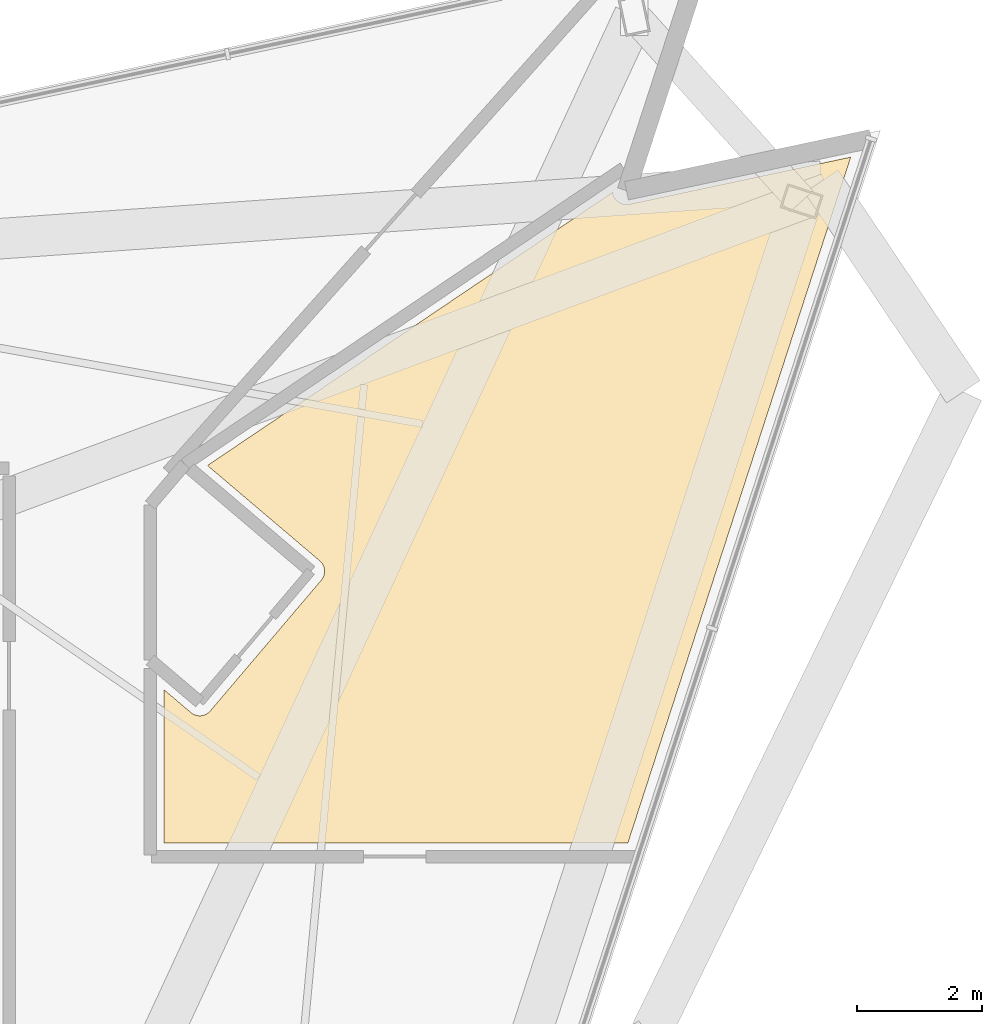
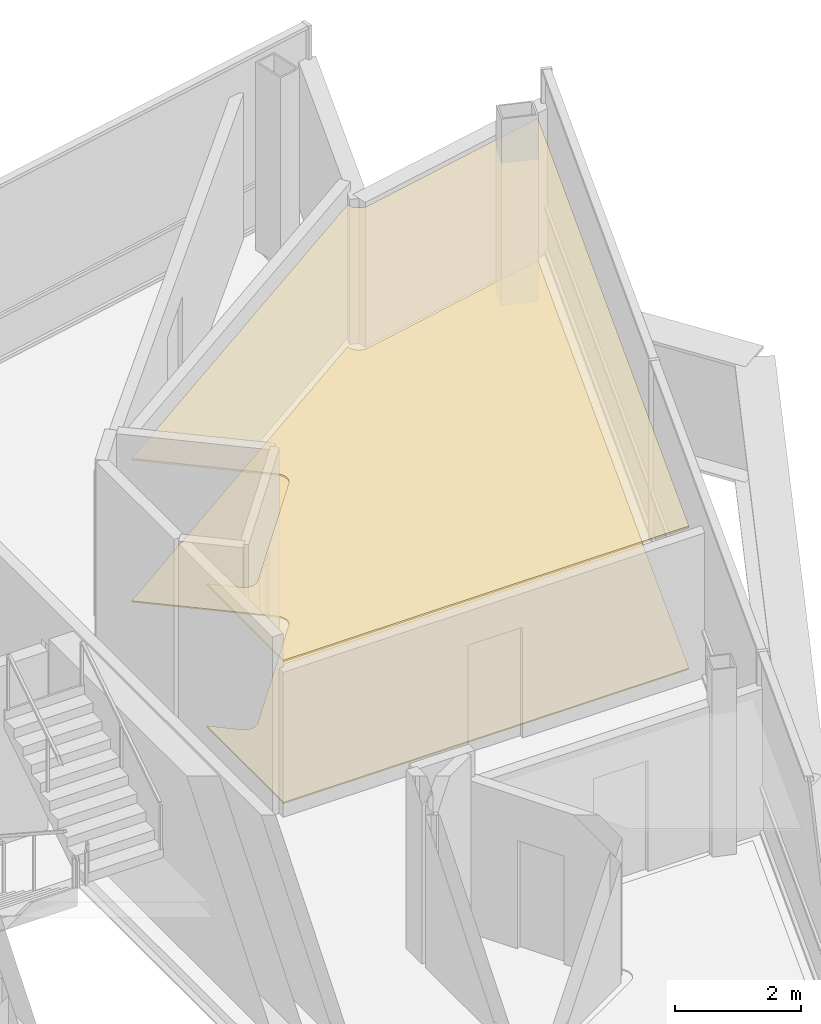
# One storey, part 18 of 18: 2 coverings.
"""IFC4 building model written with IfcOpenShell, lengths in metres."""

from ifc_helpers import new_model, si_unit, direction, frame, origin, place, context, subcontext, project, spatial, polyline, outline, extrude, material, layer, layer_set, type_object, element, save


model = new_model("IFC4")

# Units and contexts
model_context = context("Model", 3, precision=1e-05, world=origin(), true_north=direction((0.0, 1.0)))
body_context = subcontext(model_context, "Body", "Model", "MODEL_VIEW")
ifc_project = project(units=[si_unit("LENGTHUNIT", "METRE"), si_unit("AREAUNIT", "SQUARE_METRE"), si_unit("VOLUMEUNIT", "CUBIC_METRE"), si_unit("PLANEANGLEUNIT", "RADIAN"), si_unit("MASSUNIT", "GRAM", prefix="KILO")], contexts=[model_context])

# Site, building, storey
site_placement = place(None, origin())
site = spatial("IfcSite", under=ifc_project, at=site_placement, CompositionType="ELEMENT")
building_placement = place(site_placement, origin())
building = spatial("IfcBuilding", under=site, at=building_placement, Name="Tharavind Bronze Gate", CompositionType="ELEMENT")
storey_placement = place(building_placement, frame((0.0, 0.0, 279.75)))
storey = spatial("IfcBuildingStorey", under=building, at=storey_placement, Name="L72", CompositionType="ELEMENT", Elevation=279.75)

# Coverings
ifc_material_1 = material(Name="Engineered Oak & Carpet Tile", Category="wood")
ifc_layer_1 = layer(ifc_material_1, 0.02490234375)
ifc_layer_set_1 = layer_set([ifc_layer_1], Name="Engineered Oak & Carpet Tile")
covering_type_1 = type_object("IfcCoveringType", Name="ENGINEERED TIMBER FLOORING", PredefinedType="FLOORING", material=ifc_layer_set_1)
covering_1_placement = place(storey_placement, origin())
element("IfcCovering", 1, at=covering_1_placement, inside=storey, type_object=covering_type_1, Name="L72-RM-01 floor finish", PredefinedType="FLOORING", context=body_context, shape_type="SweptSolid", body=[
    extrude(outline(polyline([(19.536376953125, 2.320068359375), (23.10693359375, 13.308837890625), (19.559814453125, 12.554931640625), (19.549072265625, 12.552978515625), (19.548583984375, 12.552734375), (19.526611328125, 12.55029296875), (19.5048828125, 12.55029296875), (19.48291015625, 12.55224609375), (19.46142578125, 12.556396484375), (19.4404296875, 12.5625), (19.420166015625, 12.57080078125), (19.400634765625, 12.581298828125), (19.382568359375, 12.593505859375), (19.365478515625, 12.607421875), (19.35009765625, 12.622802734375), (19.336181640625, 12.639892578125), (19.32421875, 12.658203125), (19.31396484375, 12.677490234375), (19.3056640625, 12.697998046875), (19.299560546875, 12.718994140625), (19.29541015625, 12.740478515625), (19.294921875, 12.7490234375), (12.79833984375, 8.3671875), (14.59716796875, 6.83984375), (14.61279296875, 6.824951171875), (14.627197265625, 6.808837890625), (14.6396484375, 6.791259765625), (14.650390625, 6.7724609375), (14.659423828125, 6.7529296875), (14.666259765625, 6.732421875), (14.671142578125, 6.71142578125), (14.674072265625, 6.68994140625), (14.6748046875, 6.66845703125), (14.67333984375, 6.646728515625), (14.669921875, 6.62548828125), (14.664306640625, 6.604736328125), (14.656494140625, 6.58447265625), (14.64697265625, 6.565185546875), (14.635498046875, 6.546875), (14.622314453125, 6.52978515625), (12.842529296875, 4.43359375), (12.82763671875, 4.417724609375), (12.8115234375, 4.403564453125), (12.7939453125, 4.390869140625), (12.775146484375, 4.380126953125), (12.755615234375, 4.37109375), (12.735107421875, 4.3642578125), (12.714111328125, 4.359375), (12.692626953125, 4.356689453125), (12.671142578125, 4.35595703125), (12.6494140625, 4.357421875), (12.628173828125, 4.36083984375), (12.607421875, 4.366455078125), (12.587158203125, 4.3740234375), (12.56787109375, 4.383544921875), (12.549560546875, 4.39501953125), (12.532470703125, 4.408203125), (12.10009765625, 4.775390625), (12.10009765625, 2.320068359375), (19.536376953125, 2.320068359375)])), origin(), (0.0, 0.0, 1.0), 0.02490234375),
])
ifc_material_2 = material(Name="Acoustic Gypsum Board", Category="gypsum")
ifc_layer_2 = layer(ifc_material_2, 0.030029296875)
ifc_layer_set_2 = layer_set([ifc_layer_2], Name="Acoustic Gypsum Board")
covering_type_2 = type_object("IfcCoveringType", Name="GYPSUM SUSPENDED CEILING", PredefinedType="CEILING", material=ifc_layer_set_2)
covering_2_placement = place(storey_placement, frame((0.0, 0.0, 2.75)))
element("IfcCovering", 2, at=covering_2_placement, inside=storey, type_object=covering_type_2, Name="L72-RM-01 suspended ceiling", PredefinedType="CEILING", context=body_context, shape_type="SweptSolid", body=[
    extrude(outline(polyline([(19.536376953125, 2.320068359375), (23.10693359375, 13.308837890625), (19.559814453125, 12.554931640625), (19.549072265625, 12.552978515625), (19.548583984375, 12.552734375), (19.526611328125, 12.55029296875), (19.5048828125, 12.55029296875), (19.48291015625, 12.55224609375), (19.46142578125, 12.556396484375), (19.4404296875, 12.5625), (19.420166015625, 12.57080078125), (19.400634765625, 12.581298828125), (19.382568359375, 12.593505859375), (19.365478515625, 12.607421875), (19.35009765625, 12.622802734375), (19.336181640625, 12.639892578125), (19.32421875, 12.658203125), (19.31396484375, 12.677490234375), (19.3056640625, 12.697998046875), (19.299560546875, 12.718994140625), (19.29541015625, 12.740478515625), (19.294921875, 12.7490234375), (12.79833984375, 8.3671875), (14.59716796875, 6.83984375), (14.61279296875, 6.824951171875), (14.627197265625, 6.808837890625), (14.6396484375, 6.791259765625), (14.650390625, 6.7724609375), (14.659423828125, 6.7529296875), (14.666259765625, 6.732421875), (14.671142578125, 6.71142578125), (14.674072265625, 6.68994140625), (14.6748046875, 6.66845703125), (14.67333984375, 6.646728515625), (14.669921875, 6.62548828125), (14.664306640625, 6.604736328125), (14.656494140625, 6.58447265625), (14.64697265625, 6.565185546875), (14.635498046875, 6.546875), (14.622314453125, 6.52978515625), (12.842529296875, 4.43359375), (12.82763671875, 4.417724609375), (12.8115234375, 4.403564453125), (12.7939453125, 4.390869140625), (12.775146484375, 4.380126953125), (12.755615234375, 4.37109375), (12.735107421875, 4.3642578125), (12.714111328125, 4.359375), (12.692626953125, 4.356689453125), (12.671142578125, 4.35595703125), (12.6494140625, 4.357421875), (12.628173828125, 4.36083984375), (12.607421875, 4.366455078125), (12.587158203125, 4.3740234375), (12.56787109375, 4.383544921875), (12.549560546875, 4.39501953125), (12.532470703125, 4.408203125), (12.10009765625, 4.775390625), (12.10009765625, 2.320068359375), (19.536376953125, 2.320068359375)])), origin(), (0.0, 0.0, 1.0), 0.034912109375),
])

save(model, "model.ifc")
